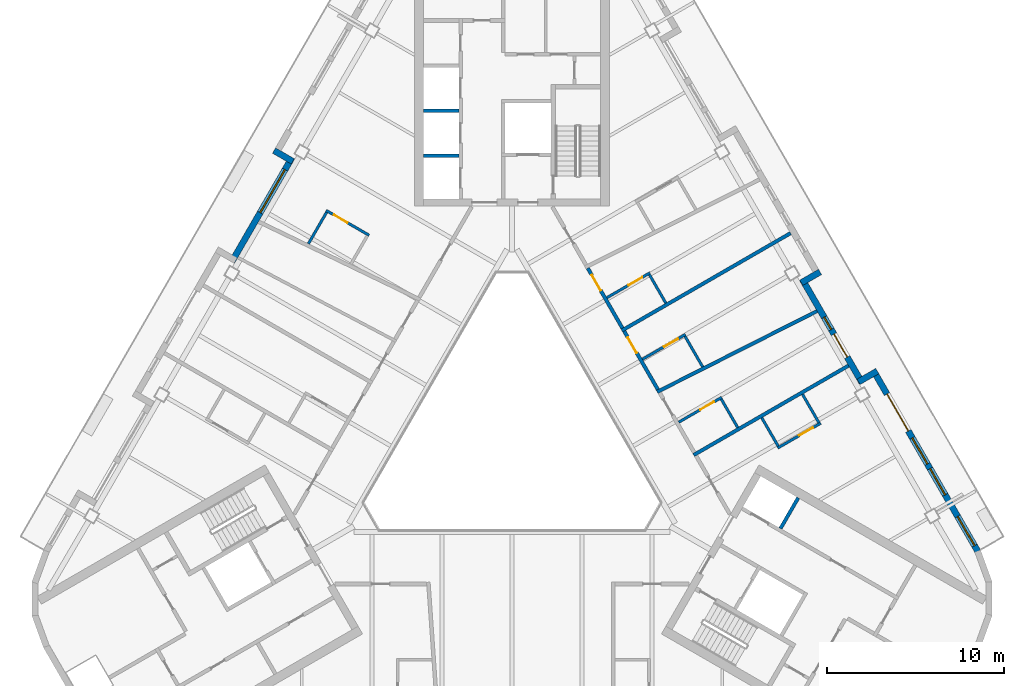
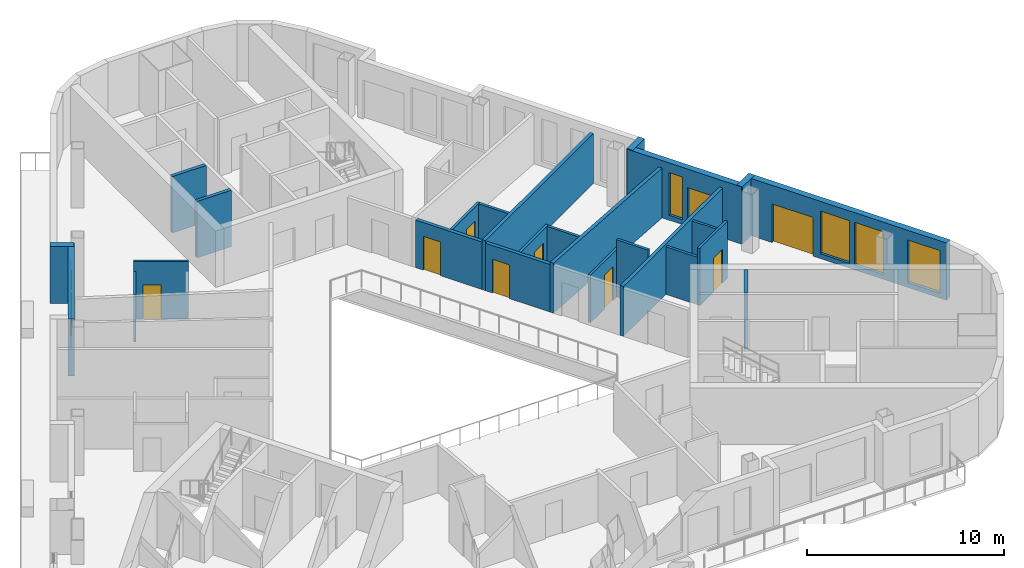
# One storey, part 6 of 14: 25 walls, 9 doors, 5 windows, 14 openings.
"""IFC4 building model written with IfcOpenShell, lengths in metres."""

from ifc_helpers import new_model, si_unit, direction, frame, frame_2d, origin, place, context, subcontext, project, spatial, rectangle, extrude, material, layer, layer_set, type_object, element, fill, save


model = new_model("IFC4")

# Units and contexts
model_context = context("Model", 3, precision=1e-05, world=origin(), true_north=direction((0.0, 1.0)))
body_context = subcontext(model_context, "Body", "Model", "MODEL_VIEW")
ifc_project = project(units=[si_unit("LENGTHUNIT", "METRE"), si_unit("AREAUNIT", "SQUARE_METRE"), si_unit("VOLUMEUNIT", "CUBIC_METRE"), si_unit("PLANEANGLEUNIT", "RADIAN"), si_unit("MASSUNIT", "GRAM", prefix="KILO")], contexts=[model_context])

# Site, building, storey
site_placement = place(None, origin())
site = spatial("IfcSite", under=ifc_project, at=site_placement, CompositionType="ELEMENT")
building_placement = place(site_placement, origin())
building = spatial("IfcBuilding", under=site, at=building_placement, Name="Apuvela Tower Hotel", CompositionType="ELEMENT")
storey_placement = place(building_placement, frame((0.0, 0.0, 250.39990234375)))
storey = spatial("IfcBuildingStorey", under=building, at=storey_placement, Name="L61", CompositionType="ELEMENT", Elevation=250.39990234375)

# Walls
ifc_material_1 = material(Name="Concrete C50/60", Category="concrete")
ifc_layer_1 = layer(ifc_material_1, 0.199951171875)
ifc_layer_set_1 = layer_set([ifc_layer_1], Name="COR-WALL-SHAFT-200")
wall_type_1 = type_object("IfcWallType", Name="COR-WALL-SHAFT-200", PredefinedType="SHEAR", material=ifc_layer_set_1)
for number, where, z_axis, x_axis, name in (
    (1, (-3.0, 15.739990234375, 0.0), (0.0, 0.0, 1.0), (-1.0, 0.0, 0.0), "Shaft wall N"),
    (2, (-3.0, 18.280029296875, 0.0), (0.0, 0.0, 1.0), (-1.0, 0.0, 0.0), "Shaft wall N"),
    (3, (15.131103515625, -5.27197265625, 0.0), (0.0, 0.0, 1.0), (0.499972520799, 0.866041268327, 0.0), "Shaft wall SE"),
):
    element("IfcWall", number, at=place(storey_placement, frame(where, z_axis=z_axis, x_axis=x_axis)), inside=storey, type_object=wall_type_1, Name=name, PredefinedType="SHEAR", context=body_context, shape_type="SweptSolid", body=[
        extrude(rectangle(XDim=2.0, YDim=0.199951171875, at=frame_2d((1.0, 0.0))), origin(), (0.0, 0.0, 1.0), 3.5),
    ])
ifc_material_2 = material(Name="Concrete C40/50, dark pigmented precast panel", Category="concrete")
ifc_layer_2 = layer(ifc_material_2, 0.35009765625)
ifc_layer_set_2 = layer_set([ifc_layer_2], Name="ENV-WALL-350")
wall_type_2 = type_object("IfcWallType", Name="ENV-WALL-350", PredefinedType="SOLIDWALL", material=ifc_layer_set_2)
wall_1_placement = place(storey_placement, frame((-13.41259765625, 16.02880859375, 0.0), z_axis=(0.0, 0.0, 1.0), x_axis=(0.866005645448, -0.500034220881, 0.0)))
element("IfcWall", 4, at=wall_1_placement, inside=storey, type_object=wall_type_2, Name="External wall L61-02", PredefinedType="SOLIDWALL", context=body_context, shape_type="SweptSolid", body=[
    extrude(rectangle(XDim=1.22021484375, YDim=0.35009765625, at=frame_2d((0.610107421875, 0.0))), origin(), (0.0, 0.0, 1.0), 3.550048828125),
])

# Wall, opening, window
wall_2_placement = place(storey_placement, frame((-12.408935546875, 15.616943359375, 0.0), z_axis=(0.0, 0.0, 1.0), x_axis=(-0.500003597184, -0.866023326939, 0.0)))
wall_2 = element("IfcWall", 5, at=wall_2_placement, inside=storey, type_object=wall_type_2, Name="External wall L61-03", PredefinedType="SOLIDWALL", context=body_context, shape_type="SweptSolid", body=[
    extrude(rectangle(XDim=6.740234375, YDim=0.35009765625, at=frame_2d((3.3701171875, 0.0))), origin(), (0.0, 0.0, 1.0), 3.550048828125),
])
opening_1_placement = place(wall_2_placement, frame((0.77001953125, 0.0, 0.300048828125)))
opening_1 = element("IfcOpeningElement", 6, at=opening_1_placement, cuts=wall_2, Name="Opening WN28", PredefinedType="OPENING", context=body_context, shape_type="SweptSolid", body=[
    extrude(rectangle(XDim=2.800048828125, YDim=2.64990234375, at=frame_2d((1.39990234375, 1.324951171875))), frame((0.0, 0.18505859375, 0.0), z_axis=(0.0, -1.0, 0.0), x_axis=(1.0, 0.0, 0.0)), (0.0, 0.0, 1.0), 0.3701171875),
])
ifc_material_3 = material(Name="Glass, dark tinted laminated insulated glazing unit", Category="glass")
window_type_1 = type_object("IfcWindowType", Name="ENV-WIN-2800x2650", PartitioningType="SINGLE_PANEL", PredefinedType="WINDOW", material=ifc_material_3)
window_1_placement = place(opening_1_placement, origin())
window_1 = element("IfcWindow", 7, at=window_1_placement, inside=storey, type_object=window_type_1, Name="Window WN28", OverallHeight=2.64990234375, OverallWidth=2.800048828125, PartitioningType="SINGLE_PANEL", PredefinedType="WINDOW", context=body_context, shape_type="SweptSolid", body=[
    extrude(rectangle(XDim=2.800048828125, YDim=2.64990234375, at=frame_2d((1.39990234375, 1.324951171875))), frame((0.0, 0.030029296875, 0.0), z_axis=(0.0, -1.0, 0.0), x_axis=(1.0, 0.0, 0.0)), (0.0, 0.0, 1.0), 0.06005859375),
])
fill(opening_1, window_1)

# Wall, openings, door, windows
wall_3_placement = place(storey_placement, frame((26.256591796875, -6.5673828125, 0.0), z_axis=(0.0, 0.0, 1.0), x_axis=(-0.500023526245, 0.866011820475, 0.0)))
wall_3 = element("IfcWall", 8, at=wall_3_placement, inside=storey, type_object=wall_type_2, Name="External wall L61-33", PredefinedType="SOLIDWALL", context=body_context, shape_type="SweptSolid", body=[
    extrude(rectangle(XDim=11.81591796875, YDim=0.35009765625, at=frame_2d((5.907958984375, 0.0))), origin(), (0.0, 0.0, 1.0), 3.550048828125),
])
opening_2_placement = place(wall_3_placement, frame((0.380126953125, 0.0, 0.300048828125)))
opening_2 = element("IfcOpeningElement", 9, at=opening_2_placement, cuts=wall_3, Name="Opening WN19", PredefinedType="OPENING", context=body_context, shape_type="SweptSolid", body=[
    extrude(rectangle(XDim=1.89990234375, YDim=2.64990234375, at=frame_2d((0.949951171875, 1.324951171875))), frame((0.0, 0.18505859375, 0.0), z_axis=(0.0, -1.0, 0.0), x_axis=(1.0, 0.0, 0.0)), (0.0, 0.0, 1.0), 0.3701171875),
])
opening_3_placement = place(wall_3_placement, frame((7.840576171875, 0.0, 0.0)))
opening_3 = element("IfcOpeningElement", 10, at=opening_3_placement, cuts=wall_3, Name="Opening BD24", PredefinedType="OPENING", context=body_context, shape_type="SweptSolid", body=[
    extrude(rectangle(XDim=2.39990234375, YDim=2.39990234375, at=frame_2d((1.199951171875, 1.199951171875))), frame((0.0, 0.18505859375, 0.0), z_axis=(0.0, -1.0, 0.0), x_axis=(1.0, 0.0, 0.0)), (0.0, 0.0, 1.0), 0.3701171875),
])
opening_4_placement = place(wall_3_placement, frame((3.69091796875, 0.0, 0.300048828125)))
opening_4 = element("IfcOpeningElement", 11, at=opening_4_placement, cuts=wall_3, Name="Opening WN17", PredefinedType="OPENING", context=body_context, shape_type="SweptSolid", body=[
    extrude(rectangle(XDim=1.699951171875, YDim=2.64990234375, at=frame_2d((0.85009765625, 1.324951171875))), frame((0.0, 0.18505859375, 0.0), z_axis=(0.0, -1.0, 0.0), x_axis=(1.0, 0.0, 0.0)), (0.0, 0.0, 1.0), 0.3701171875),
])
opening_5_placement = place(wall_3_placement, frame((5.69091796875, 0.0, 0.300048828125)))
opening_5 = element("IfcOpeningElement", 12, at=opening_5_placement, cuts=wall_3, Name="Opening WN17", PredefinedType="OPENING", context=body_context, shape_type="SweptSolid", body=[
    extrude(rectangle(XDim=1.699951171875, YDim=2.64990234375, at=frame_2d((0.85009765625, 1.324951171875))), frame((0.0, 0.18505859375, 0.0), z_axis=(0.0, -1.0, 0.0), x_axis=(1.0, 0.0, 0.0)), (0.0, 0.0, 1.0), 0.3701171875),
])
ifc_material_4 = material(Name="Aluminium 6063-T6, dark bronze anodised frame with dark tinted laminated glass", Category="aluminium")
door_type_1 = type_object("IfcDoorType", Name="ENV-DOOR-BALCONY-2400x2400", OperationType="SLIDING_TO_LEFT", PredefinedType="DOOR", material=ifc_material_4)
door_1_placement = place(opening_3_placement, frame((2.39990234375, 0.0, 0.0), z_axis=(0.0, 0.0, 1.0), x_axis=(-1.0, 0.0, 0.0)))
door_1 = element("IfcDoor", 13, at=door_1_placement, inside=storey, type_object=door_type_1, Name="Balcony door BD24", OperationType="SLIDING_TO_LEFT", OverallHeight=2.39990234375, OverallWidth=2.39990234375, PredefinedType="DOOR", context=body_context, shape_type="SweptSolid", body=[
    extrude(rectangle(XDim=2.39990234375, YDim=2.39990234375, at=frame_2d((1.199951171875, 1.199951171875))), frame((0.0, 0.02490234375, 0.0), z_axis=(0.0, -1.0, 0.0), x_axis=(1.0, 0.0, 0.0)), (0.0, 0.0, 1.0), 0.050048828125),
])
fill(opening_3, door_1)
window_type_2 = type_object("IfcWindowType", Name="ENV-WIN-1700x2650", PartitioningType="SINGLE_PANEL", PredefinedType="WINDOW", material=ifc_material_3)
window_2_placement = place(opening_4_placement, origin())
window_2 = element("IfcWindow", 14, at=window_2_placement, inside=storey, type_object=window_type_2, Name="Window WN17", OverallHeight=2.64990234375, OverallWidth=1.699951171875, PartitioningType="SINGLE_PANEL", PredefinedType="WINDOW", context=body_context, shape_type="SweptSolid", body=[
    extrude(rectangle(XDim=1.699951171875, YDim=2.64990234375, at=frame_2d((0.85009765625, 1.324951171875))), frame((0.0, 0.030029296875, 0.0), z_axis=(0.0, -1.0, 0.0), x_axis=(1.0, 0.0, 0.0)), (0.0, 0.0, 1.0), 0.06005859375),
])
fill(opening_4, window_2)
window_3_placement = place(opening_5_placement, origin())
window_3 = element("IfcWindow", 15, at=window_3_placement, inside=storey, type_object=window_type_2, Name="Window WN17", OverallHeight=2.64990234375, OverallWidth=1.699951171875, PartitioningType="SINGLE_PANEL", PredefinedType="WINDOW", context=body_context, shape_type="SweptSolid", body=[
    extrude(rectangle(XDim=1.699951171875, YDim=2.64990234375, at=frame_2d((0.85009765625, 1.324951171875))), frame((0.0, 0.030029296875, 0.0), z_axis=(0.0, -1.0, 0.0), x_axis=(1.0, 0.0, 0.0)), (0.0, 0.0, 1.0), 0.06005859375),
])
fill(opening_5, window_3)
window_type_3 = type_object("IfcWindowType", Name="ENV-WIN-1900x2650", PartitioningType="SINGLE_PANEL", PredefinedType="WINDOW", material=ifc_material_3)
window_4_placement = place(opening_2_placement, origin())
window_4 = element("IfcWindow", 16, at=window_4_placement, inside=storey, type_object=window_type_3, Name="Window WN19", OverallHeight=2.64990234375, OverallWidth=1.89990234375, PartitioningType="SINGLE_PANEL", PredefinedType="WINDOW", context=body_context, shape_type="SweptSolid", body=[
    extrude(rectangle(XDim=1.89990234375, YDim=2.64990234375, at=frame_2d((0.949951171875, 1.324951171875))), frame((0.0, 0.030029296875, 0.0), z_axis=(0.0, -1.0, 0.0), x_axis=(1.0, 0.0, 0.0)), (0.0, 0.0, 1.0), 0.06005859375),
])
fill(opening_2, window_4)

# Wall
wall_4_placement = place(storey_placement, frame((20.587646484375, 3.601318359375, 0.0), z_axis=(0.0, 0.0, 1.0), x_axis=(-0.866005645448, -0.500034220881, 0.0)))
element("IfcWall", 17, at=wall_4_placement, inside=storey, type_object=wall_type_2, Name="External wall L61-34", PredefinedType="SOLIDWALL", context=body_context, shape_type="SweptSolid", body=[
    extrude(rectangle(XDim=1.22021484375, YDim=0.35009765625, at=frame_2d((0.610107421875, 0.0))), origin(), (0.0, 0.0, 1.0), 3.550048828125),
])

# Wall, openings, door, window
wall_5_placement = place(storey_placement, frame((19.72900390625, 2.93798828125, 0.0), z_axis=(0.0, 0.0, 1.0), x_axis=(-0.499976430342, 0.866039011305, 0.0)))
wall_5 = element("IfcWall", 18, at=wall_5_placement, inside=storey, type_object=wall_type_2, Name="External wall L61-35", PredefinedType="SOLIDWALL", context=body_context, shape_type="SweptSolid", body=[
    extrude(rectangle(XDim=6.739990234375, YDim=0.35009765625, at=frame_2d((3.3701171875, 0.0))), origin(), (0.0, 0.0, 1.0), 3.550048828125),
])
opening_6_placement = place(wall_5_placement, frame((1.670166015625, 0.0, 0.0)))
opening_6 = element("IfcOpeningElement", 19, at=opening_6_placement, cuts=wall_5, Name="Opening BD15", PredefinedType="OPENING", context=body_context, shape_type="SweptSolid", body=[
    extrude(rectangle(XDim=1.5, YDim=2.39990234375, at=frame_2d((0.75, 1.199951171875))), frame((0.0, 0.18505859375, 0.0), z_axis=(0.0, -1.0, 0.0), x_axis=(1.0, 0.0, 0.0)), (0.0, 0.0, 1.0), 0.3701171875),
])
opening_7_placement = place(wall_5_placement, frame((3.47021484375, 0.0, 0.300048828125)))
opening_7 = element("IfcOpeningElement", 20, at=opening_7_placement, cuts=wall_5, Name="Opening WN08", PredefinedType="OPENING", context=body_context, shape_type="SweptSolid", body=[
    extrude(rectangle(XDim=0.800048828125, YDim=2.64990234375, at=frame_2d((0.39990234375, 1.324951171875))), frame((0.0, 0.18505859375, 0.0), z_axis=(0.0, -1.0, 0.0), x_axis=(1.0, 0.0, 0.0)), (0.0, 0.0, 1.0), 0.3701171875),
])
door_type_2 = type_object("IfcDoorType", Name="ENV-DOOR-BALCONY-1500x2400", OperationType="SLIDING_TO_LEFT", PredefinedType="DOOR", material=ifc_material_4)
door_2_placement = place(opening_6_placement, frame((1.5, 0.0, 0.0), z_axis=(0.0, 0.0, 1.0), x_axis=(-1.0, 0.0, 0.0)))
door_2 = element("IfcDoor", 21, at=door_2_placement, inside=storey, type_object=door_type_2, Name="Balcony door BD15", OperationType="SLIDING_TO_LEFT", OverallHeight=2.39990234375, OverallWidth=1.5, PredefinedType="DOOR", context=body_context, shape_type="SweptSolid", body=[
    extrude(rectangle(XDim=1.5, YDim=2.39990234375, at=frame_2d((0.75, 1.199951171875))), frame((0.0, 0.02490234375, 0.0), z_axis=(0.0, -1.0, 0.0), x_axis=(1.0, 0.0, 0.0)), (0.0, 0.0, 1.0), 0.050048828125),
])
fill(opening_6, door_2)
window_type_4 = type_object("IfcWindowType", Name="ENV-WIN-800x2650", PartitioningType="SINGLE_PANEL", PredefinedType="WINDOW", material=ifc_material_3)
window_5_placement = place(opening_7_placement, origin())
window_5 = element("IfcWindow", 22, at=window_5_placement, inside=storey, type_object=window_type_4, Name="Window WN08", OverallHeight=2.64990234375, OverallWidth=0.800048828125, PartitioningType="SINGLE_PANEL", PredefinedType="WINDOW", context=body_context, shape_type="SweptSolid", body=[
    extrude(rectangle(XDim=0.800048828125, YDim=2.64990234375, at=frame_2d((0.39990234375, 1.324951171875))), frame((0.0, 0.030029296875, 0.0), z_axis=(0.0, -1.0, 0.0), x_axis=(1.0, 0.0, 0.0)), (0.0, 0.0, 1.0), 0.06005859375),
])
fill(opening_7, window_5)

# Walls
wall_6_placement = place(storey_placement, frame((16.305908203125, 8.5771484375, 0.0), z_axis=(0.0, 0.0, 1.0), x_axis=(0.866092288191, 0.499884134912, 0.0)))
element("IfcWall", 23, at=wall_6_placement, inside=storey, type_object=wall_type_2, Name="External wall L61-36", PredefinedType="SOLIDWALL", context=body_context, shape_type="SweptSolid", body=[
    extrude(rectangle(XDim=1.219970703125, YDim=0.35009765625, at=frame_2d((0.60986328125, 0.0))), origin(), (0.0, 0.0, 1.0), 3.550048828125),
])
ifc_material_5 = material(Name="Gypsum board partition on twin steel stud", Category="steel")
ifc_layer_3 = layer(ifc_material_5, 0.199951171875)
ifc_layer_set_3 = layer_set([ifc_layer_3], Name="GST-PW1")
wall_type_3 = type_object("IfcWallType", Name="GST-PW1", PredefinedType="PARTITIONING", material=ifc_layer_set_3)
wall_7_placement = place(storey_placement, frame((18.967529296875, 3.9072265625, 0.0), z_axis=(0.0, 0.0, 1.0), x_axis=(-0.866022637375, -0.500004791531, 0.0)))
element("IfcWall", 24, at=wall_7_placement, inside=storey, type_object=wall_type_3, Name="L61 partition 04", PredefinedType="PARTITIONING", context=body_context, shape_type="SweptSolid", body=[
    extrude(rectangle(XDim=10.080078125, YDim=0.199951171875, at=frame_2d((5.0400390625, 0.0))), origin(), (0.0, 0.0, 1.0), 3.10009765625),
])
wall_8_placement = place(storey_placement, frame((17.1923828125, 6.981689453125, 0.0), z_axis=(0.0, 0.0, 1.0), x_axis=(-0.892469554868, -0.451107629766, 0.0)))
element("IfcWall", 25, at=wall_8_placement, inside=storey, type_object=wall_type_3, Name="L61 partition 05", PredefinedType="PARTITIONING", context=body_context, shape_type="SweptSolid", body=[
    extrude(rectangle(XDim=10.095703125, YDim=0.199951171875, at=frame_2d((5.0478515625, 0.0))), origin(), (0.0, 0.0, 1.0), 3.10009765625),
])
wall_9_placement = place(storey_placement, frame((15.697021484375, 11.3720703125, 0.0), z_axis=(0.0, 0.0, 1.0), x_axis=(-0.866027479907, -0.499996404033, 0.0)))
element("IfcWall", 26, at=wall_9_placement, inside=storey, type_object=wall_type_3, Name="L61 partition 06", PredefinedType="PARTITIONING", context=body_context, shape_type="SweptSolid", body=[
    extrude(rectangle(XDim=10.97998046875, YDim=0.199951171875, at=frame_2d((5.489990234375, 0.0))), origin(), (0.0, 0.0, 1.0), 3.10009765625),
])

# Wall, opening, door
ifc_material_6 = material(Name="Gypsum board corridor wall on twin steel stud, acoustic", Category="steel")
ifc_layer_4 = layer(ifc_material_6, 0.199951171875)
ifc_layer_set_4 = layer_set([ifc_layer_4], Name="GST-PW2")
wall_type_4 = type_object("IfcWallType", Name="GST-PW2", PredefinedType="PARTITIONING", material=ifc_layer_set_4)
wall_10_placement = place(storey_placement, frame((6.32470703125, 5.845458984375, 0.0), z_axis=(0.0, 0.0, 1.0), x_axis=(0.499973105789, -0.866040930607, 0.0)))
wall_10 = element("IfcWall", 27, at=wall_10_placement, inside=storey, type_object=wall_type_4, Name="L61 partition 28", PredefinedType="PARTITIONING", context=body_context, shape_type="SweptSolid", body=[
    extrude(rectangle(XDim=3.794189453125, YDim=0.199951171875, at=frame_2d((1.89697265625, 0.0))), origin(), (0.0, 0.0, 1.0), 2.9501953125),
])
opening_8_placement = place(wall_10_placement, frame((0.402587890625, 0.0, 0.0)))
opening_8 = element("IfcOpeningElement", 28, at=opening_8_placement, cuts=wall_10, Name="Opening GD23-12", PredefinedType="OPENING", context=body_context, shape_type="SweptSolid", body=[
    extrude(rectangle(XDim=1.0, YDim=2.10009765625, at=frame_2d((0.5, 1.050048828125))), frame((0.0, 0.10986328125, 0.0), z_axis=(0.0, -1.0, 0.0), x_axis=(1.0, 0.0, 0.0)), (0.0, 0.0, 1.0), 0.219970703125),
])
ifc_material_7 = material(Name="Timber door leaf in steel frame", Category="steel")
door_type_3 = type_object("IfcDoorType", Name="GST-D1", OperationType="NOTDEFINED", PredefinedType="DOOR", material=ifc_material_7)
door_3_placement = place(opening_8_placement, origin())
door_3 = element("IfcDoor", 29, at=door_3_placement, inside=storey, type_object=door_type_3, Name="Door L61-12", OperationType="SINGLE_SWING_LEFT", OverallHeight=2.10009765625, OverallWidth=1.0, PredefinedType="DOOR", context=body_context, shape_type="SweptSolid", body=[
    extrude(rectangle(XDim=1.0, YDim=2.10009765625, at=frame_2d((0.5, 1.050048828125))), frame((0.0, 0.02490234375, 0.0), z_axis=(0.0, -1.0, 0.0), x_axis=(1.0, 0.0, 0.0)), (0.0, 0.0, 1.0), 0.050048828125),
])
fill(opening_8, door_3)

wall_11_placement = place(storey_placement, frame((4.27197265625, 9.40087890625, 0.0), z_axis=(0.0, 0.0, 1.0), x_axis=(0.499998439657, -0.866026304647, 0.0)))
wall_11 = element("IfcWall", 30, at=wall_11_placement, inside=storey, type_object=wall_type_4, Name="L61 partition 31", PredefinedType="PARTITIONING", context=body_context, shape_type="SweptSolid", body=[
    extrude(rectangle(XDim=3.9052734375, YDim=0.199951171875, at=frame_2d((1.95263671875, 0.0))), origin(), (0.0, 0.0, 1.0), 2.9501953125),
])
opening_9_placement = place(wall_11_placement, frame((0.45556640625, 0.0, 0.0)))
opening_9 = element("IfcOpeningElement", 31, at=opening_9_placement, cuts=wall_11, Name="Opening GD23-14", PredefinedType="OPENING", context=body_context, shape_type="SweptSolid", body=[
    extrude(rectangle(XDim=1.0, YDim=2.10009765625, at=frame_2d((0.5, 1.050048828125))), frame((0.0, 0.10986328125, 0.0), z_axis=(0.0, -1.0, 0.0), x_axis=(1.0, 0.0, 0.0)), (0.0, 0.0, 1.0), 0.219970703125),
])
door_4_placement = place(opening_9_placement, origin())
door_4 = element("IfcDoor", 32, at=door_4_placement, inside=storey, type_object=door_type_3, Name="Door L61-14", OperationType="SINGLE_SWING_LEFT", OverallHeight=2.10009765625, OverallWidth=1.0, PredefinedType="DOOR", context=body_context, shape_type="SweptSolid", body=[
    extrude(rectangle(XDim=1.0, YDim=2.10009765625, at=frame_2d((0.5, 1.050048828125))), frame((0.0, 0.02490234375, 0.0), z_axis=(0.0, -1.0, 0.0), x_axis=(1.0, 0.0, 0.0)), (0.0, 0.0, 1.0), 0.050048828125),
])
fill(opening_9, door_4)

ifc_material_8 = material(Name="Moisture-resistant gypsum board wet wall on steel stud", Category="steel")
ifc_layer_5 = layer(ifc_material_8, 0.14990234375)
ifc_layer_set_5 = layer_set([ifc_layer_5], Name="GST-PW3")
wall_type_5 = type_object("IfcWallType", Name="GST-PW3", PredefinedType="PARTITIONING", material=ifc_layer_set_5)
wall_12_placement = place(storey_placement, frame((14.974365234375, -0.736572265625, 0.0), z_axis=(0.0, 0.0, 1.0), x_axis=(0.866018616679, 0.500011755427, 0.0)))
wall_12 = element("IfcWall", 33, at=wall_12_placement, inside=storey, type_object=wall_type_5, Name="L61 partition 22", PredefinedType="PARTITIONING", context=body_context, shape_type="SweptSolid", body=[
    extrude(rectangle(XDim=2.80029296875, YDim=0.14990234375, at=frame_2d((1.400146484375, 0.0))), origin(), (0.0, 0.0, 1.0), 3.550048828125),
])
opening_10_placement = place(wall_12_placement, frame((1.39990234375, 0.0, 0.0)))
opening_10 = element("IfcOpeningElement", 34, at=opening_10_placement, cuts=wall_12, Name="Opening GD23-07", PredefinedType="OPENING", context=body_context, shape_type="SweptSolid", body=[
    extrude(rectangle(XDim=0.89990234375, YDim=2.10009765625, at=frame_2d((0.449951171875, 1.050048828125))), frame((0.0, 0.0849609375, 0.0), z_axis=(0.0, -1.0, 0.0), x_axis=(1.0, 0.0, 0.0)), (0.0, 0.0, 1.0), 0.169921875),
])
door_type_4 = type_object("IfcDoorType", Name="GST-D2", OperationType="NOTDEFINED", PredefinedType="DOOR", material=ifc_material_7)
door_5_placement = place(opening_10_placement, origin())
door_5 = element("IfcDoor", 35, at=door_5_placement, inside=storey, type_object=door_type_4, Name="Door L61-07", OperationType="SINGLE_SWING_RIGHT", OverallHeight=2.10009765625, OverallWidth=0.89990234375, PredefinedType="DOOR", context=body_context, shape_type="SweptSolid", body=[
    extrude(rectangle(XDim=0.89990234375, YDim=2.10009765625, at=frame_2d((0.449951171875, 1.050048828125))), frame((0.0, 0.02490234375, 0.0), z_axis=(0.0, -1.0, 0.0), x_axis=(1.0, 0.0, 0.0)), (0.0, 0.0, 1.0), 0.050048828125),
])
fill(opening_10, door_5)

# Walls
wall_13_placement = place(storey_placement, frame((17.296875, 0.69091796875, 0.0), z_axis=(0.0, 0.0, 1.0), x_axis=(-0.499985172903, 0.866033964044, 0.0)))
element("IfcWall", 36, at=wall_13_placement, inside=storey, type_object=wall_type_5, Name="L61 partition 23", PredefinedType="PARTITIONING", context=body_context, shape_type="SweptSolid", body=[
    extrude(rectangle(XDim=1.85009765625, YDim=0.14990234375, at=frame_2d((0.925048828125, 0.0))), origin(), (0.0, 0.0, 1.0), 2.9501953125),
])
wall_14_placement = place(storey_placement, frame((15.001953125, -0.634033203125, 0.0), z_axis=(0.0, 0.0, 1.0), x_axis=(-0.500042316284, 0.866000971088, 0.0)))
element("IfcWall", 37, at=wall_14_placement, inside=storey, type_object=wall_type_5, Name="L61 partition 24", PredefinedType="PARTITIONING", context=body_context, shape_type="SweptSolid", body=[
    extrude(rectangle(XDim=1.849853515625, YDim=0.14990234375, at=frame_2d((0.9248046875, 0.0))), origin(), (0.0, 0.0, 1.0), 2.9501953125),
])

# Wall, opening, door
wall_15_placement = place(storey_placement, frame((11.823486328125, 2.120849609375, 0.0), z_axis=(0.0, 0.0, 1.0), x_axis=(-0.866034573852, -0.49998411664, 0.0)))
wall_15 = element("IfcWall", 38, at=wall_15_placement, inside=storey, type_object=wall_type_5, Name="L61 partition 26", PredefinedType="PARTITIONING", context=body_context, shape_type="SweptSolid", body=[
    extrude(rectangle(XDim=2.7998046875, YDim=0.14990234375, at=frame_2d((1.39990234375, 0.0))), origin(), (0.0, 0.0, 1.0), 2.9501953125),
])
opening_11_placement = place(wall_15_placement, frame((0.5, 0.0, 0.0)))
opening_11 = element("IfcOpeningElement", 39, at=opening_11_placement, cuts=wall_15, Name="Opening GD23-09", PredefinedType="OPENING", context=body_context, shape_type="SweptSolid", body=[
    extrude(rectangle(XDim=0.89990234375, YDim=2.10009765625, at=frame_2d((0.449951171875, 1.050048828125))), frame((0.0, 0.0849609375, 0.0), z_axis=(0.0, -1.0, 0.0), x_axis=(1.0, 0.0, 0.0)), (0.0, 0.0, 1.0), 0.169921875),
])
door_6_placement = place(opening_11_placement, origin())
door_6 = element("IfcDoor", 40, at=door_6_placement, inside=storey, type_object=door_type_4, Name="Door L61-09", OperationType="SINGLE_SWING_LEFT", OverallHeight=2.10009765625, OverallWidth=0.89990234375, PredefinedType="DOOR", context=body_context, shape_type="SweptSolid", body=[
    extrude(rectangle(XDim=0.89990234375, YDim=2.10009765625, at=frame_2d((0.449951171875, 1.050048828125))), frame((0.0, 0.02490234375, 0.0), z_axis=(0.0, -1.0, 0.0), x_axis=(1.0, 0.0, 0.0)), (0.0, 0.0, 1.0), 0.050048828125),
])
fill(opening_11, door_6)

# Wall
wall_16_placement = place(storey_placement, frame((12.72119140625, 0.416259765625, 0.0), z_axis=(0.0, 0.0, 1.0), x_axis=(-0.499985172903, 0.866033964044, 0.0)))
element("IfcWall", 41, at=wall_16_placement, inside=storey, type_object=wall_type_5, Name="L61 partition 27", PredefinedType="PARTITIONING", context=body_context, shape_type="SweptSolid", body=[
    extrude(rectangle(XDim=1.85009765625, YDim=0.14990234375, at=frame_2d((0.925048828125, 0.0))), origin(), (0.0, 0.0, 1.0), 3.550048828125),
])

# Wall, opening, door
wall_17_placement = place(storey_placement, frame((9.7763671875, 5.666748046875, 0.0), z_axis=(0.0, 0.0, 1.0), x_axis=(-0.866034573852, -0.49998411664, 0.0)))
wall_17 = element("IfcWall", 42, at=wall_17_placement, inside=storey, type_object=wall_type_5, Name="L61 partition 29", PredefinedType="PARTITIONING", context=body_context, shape_type="SweptSolid", body=[
    extrude(rectangle(XDim=2.7998046875, YDim=0.14990234375, at=frame_2d((1.39990234375, 0.0))), origin(), (0.0, 0.0, 1.0), 2.9501953125),
])
opening_12_placement = place(wall_17_placement, frame((0.5, 0.0, 0.0)))
opening_12 = element("IfcOpeningElement", 43, at=opening_12_placement, cuts=wall_17, Name="Opening GD23-11", PredefinedType="OPENING", context=body_context, shape_type="SweptSolid", body=[
    extrude(rectangle(XDim=0.89990234375, YDim=2.10009765625, at=frame_2d((0.449951171875, 1.050048828125))), frame((0.0, 0.0849609375, 0.0), z_axis=(0.0, -1.0, 0.0), x_axis=(1.0, 0.0, 0.0)), (0.0, 0.0, 1.0), 0.169921875),
])
door_7_placement = place(opening_12_placement, origin())
door_7 = element("IfcDoor", 44, at=door_7_placement, inside=storey, type_object=door_type_4, Name="Door L61-11", OperationType="SINGLE_SWING_LEFT", OverallHeight=2.10009765625, OverallWidth=0.89990234375, PredefinedType="DOOR", context=body_context, shape_type="SweptSolid", body=[
    extrude(rectangle(XDim=0.89990234375, YDim=2.10009765625, at=frame_2d((0.449951171875, 1.050048828125))), frame((0.0, 0.02490234375, 0.0), z_axis=(0.0, -1.0, 0.0), x_axis=(1.0, 0.0, 0.0)), (0.0, 0.0, 1.0), 0.050048828125),
])
fill(opening_12, door_7)

# Wall
wall_18_placement = place(storey_placement, frame((10.746826171875, 3.835693359375, 0.0), z_axis=(0.0, 0.0, 1.0), x_axis=(-0.499980071345, 0.866036909293, 0.0)))
element("IfcWall", 45, at=wall_18_placement, inside=storey, type_object=wall_type_5, Name="L61 partition 30", PredefinedType="PARTITIONING", context=body_context, shape_type="SweptSolid", body=[
    extrude(rectangle(XDim=1.99609375, YDim=0.14990234375, at=frame_2d((0.998046875, 0.0))), origin(), (0.0, 0.0, 1.0), 2.9501953125),
])

# Wall, opening, door
wall_19_placement = place(storey_placement, frame((7.773681640625, 9.1357421875, 0.0), z_axis=(0.0, 0.0, 1.0), x_axis=(-0.866056369097, -0.49994636267, 0.0)))
wall_19 = element("IfcWall", 46, at=wall_19_placement, inside=storey, type_object=wall_type_5, Name="L61 partition 32", PredefinedType="PARTITIONING", context=body_context, shape_type="SweptSolid", body=[
    extrude(rectangle(XDim=2.800048828125, YDim=0.14990234375, at=frame_2d((1.39990234375, 0.0))), origin(), (0.0, 0.0, 1.0), 2.9501953125),
])
opening_13_placement = place(wall_19_placement, frame((0.5, 0.0, 0.0)))
opening_13 = element("IfcOpeningElement", 47, at=opening_13_placement, cuts=wall_19, Name="Opening GD23-13", PredefinedType="OPENING", context=body_context, shape_type="SweptSolid", body=[
    extrude(rectangle(XDim=0.89990234375, YDim=2.10009765625, at=frame_2d((0.449951171875, 1.050048828125))), frame((0.0, 0.0849609375, 0.0), z_axis=(0.0, -1.0, 0.0), x_axis=(1.0, 0.0, 0.0)), (0.0, 0.0, 1.0), 0.169921875),
])
door_8_placement = place(opening_13_placement, origin())
door_8 = element("IfcDoor", 48, at=door_8_placement, inside=storey, type_object=door_type_4, Name="Door L61-13", OperationType="SINGLE_SWING_LEFT", OverallHeight=2.10009765625, OverallWidth=0.89990234375, PredefinedType="DOOR", context=body_context, shape_type="SweptSolid", body=[
    extrude(rectangle(XDim=0.89990234375, YDim=2.10009765625, at=frame_2d((0.449951171875, 1.050048828125))), frame((0.0, 0.02490234375, 0.0), z_axis=(0.0, -1.0, 0.0), x_axis=(1.0, 0.0, 0.0)), (0.0, 0.0, 1.0), 0.050048828125),
])
fill(opening_13, door_8)

# Wall
wall_20_placement = place(storey_placement, frame((8.671142578125, 7.43115234375, 0.0), z_axis=(0.0, 0.0, 1.0), x_axis=(-0.500042316284, 0.866000971088, 0.0)))
element("IfcWall", 49, at=wall_20_placement, inside=storey, type_object=wall_type_5, Name="L61 partition 33", PredefinedType="PARTITIONING", context=body_context, shape_type="SweptSolid", body=[
    extrude(rectangle(XDim=1.849853515625, YDim=0.14990234375, at=frame_2d((0.9248046875, 0.0))), origin(), (0.0, 0.0, 1.0), 2.9501953125),
])

# Wall, opening, door
wall_21_placement = place(storey_placement, frame((-8.051513671875, 11.25439453125, 0.0), z_axis=(0.0, 0.0, 1.0), x_axis=(-0.865996816683, 0.500049511043, 0.0)))
wall_21 = element("IfcWall", 50, at=wall_21_placement, inside=storey, type_object=wall_type_5, Name="L61 partition 39", PredefinedType="PARTITIONING", context=body_context, shape_type="SweptSolid", body=[
    extrude(rectangle(XDim=2.800048828125, YDim=0.14990234375, at=frame_2d((1.39990234375, 0.0))), origin(), (0.0, 0.0, 1.0), 3.550048828125),
])
opening_14_placement = place(wall_21_placement, frame((1.39990234375, 0.0, 0.0)))
opening_14 = element("IfcOpeningElement", 51, at=opening_14_placement, cuts=wall_21, Name="Opening GD23-17", PredefinedType="OPENING", context=body_context, shape_type="SweptSolid", body=[
    extrude(rectangle(XDim=0.89990234375, YDim=2.10009765625, at=frame_2d((0.449951171875, 1.050048828125))), frame((0.0, 0.0849609375, 0.0), z_axis=(0.0, -1.0, 0.0), x_axis=(1.0, 0.0, 0.0)), (0.0, 0.0, 1.0), 0.169921875),
])
door_9_placement = place(opening_14_placement, origin())
door_9 = element("IfcDoor", 52, at=door_9_placement, inside=storey, type_object=door_type_4, Name="Door L61-17", OperationType="SINGLE_SWING_RIGHT", OverallHeight=2.10009765625, OverallWidth=0.89990234375, PredefinedType="DOOR", context=body_context, shape_type="SweptSolid", body=[
    extrude(rectangle(XDim=0.89990234375, YDim=2.10009765625, at=frame_2d((0.449951171875, 1.050048828125))), frame((0.0, 0.02490234375, 0.0), z_axis=(0.0, -1.0, 0.0), x_axis=(1.0, 0.0, 0.0)), (0.0, 0.0, 1.0), 0.050048828125),
])
fill(opening_14, door_9)

# Wall
wall_22_placement = place(storey_placement, frame((-10.44873046875, 12.552001953125, 0.0), z_axis=(0.0, 0.0, 1.0), x_axis=(-0.500041704412, -0.866001324392, 0.0)))
element("IfcWall", 53, at=wall_22_placement, inside=storey, type_object=wall_type_5, Name="L61 partition 40", PredefinedType="PARTITIONING", context=body_context, shape_type="SweptSolid", body=[
    extrude(rectangle(XDim=2.052001953125, YDim=0.14990234375, at=frame_2d((1.02587890625, 0.0))), origin(), (0.0, 0.0, 1.0), 2.9501953125),
])

save(model, "model.ifc")
